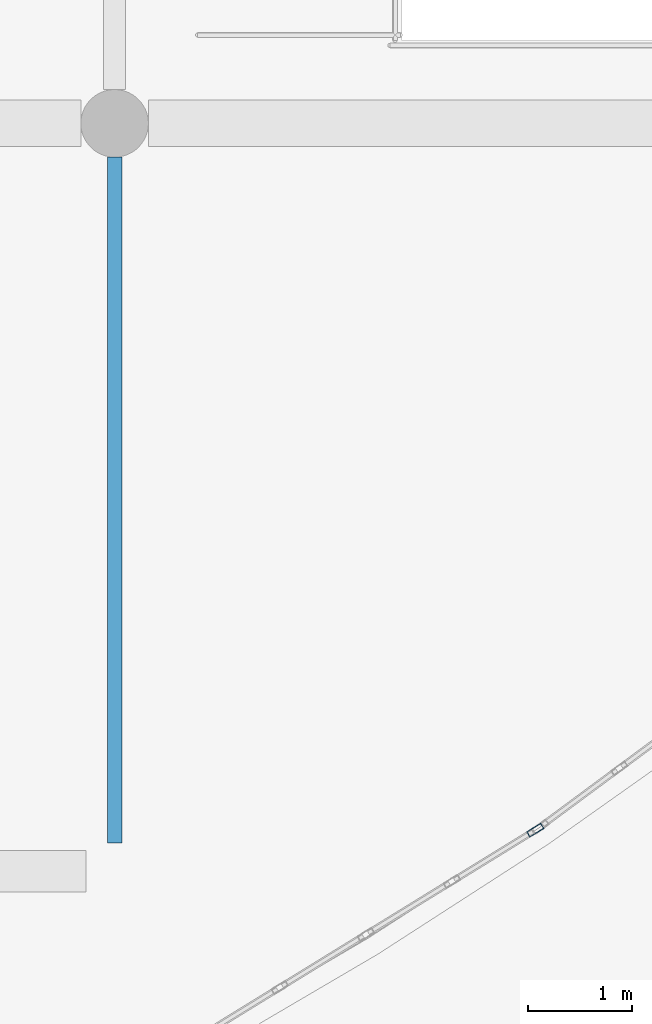
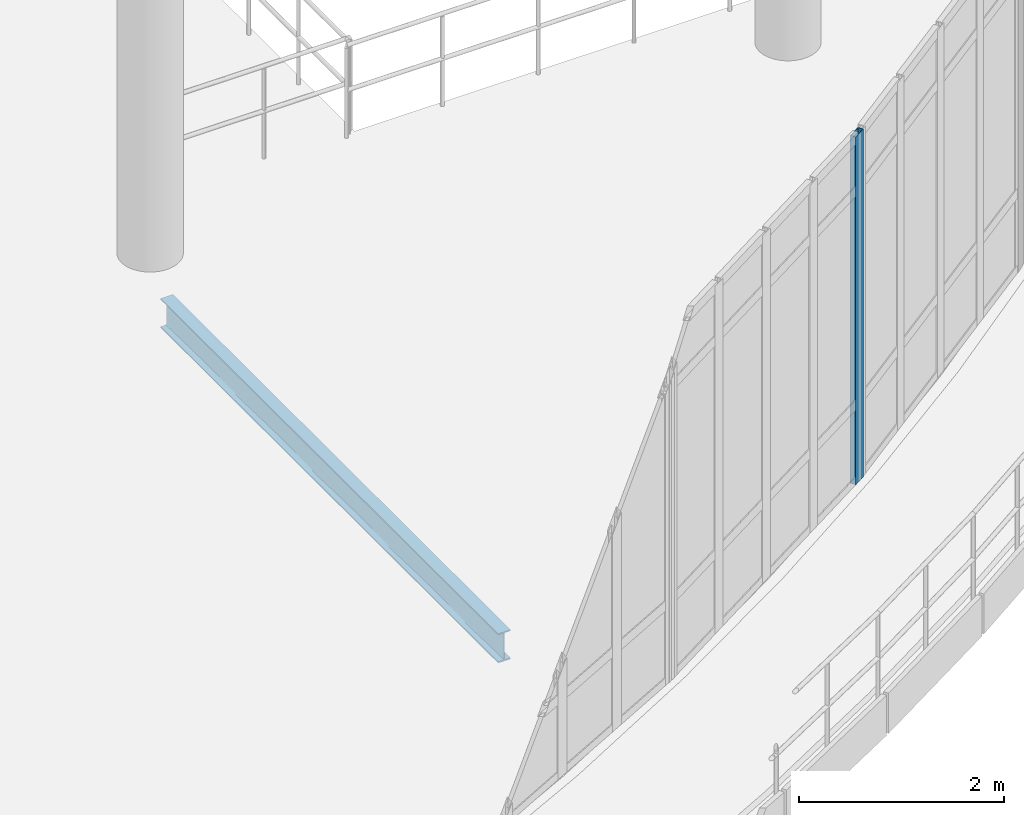
# One storey, part 38 of 116: 1 beam, 1 member, 1 element without a shape of its own.
"""IFC4 building model written with IfcOpenShell, lengths in metres."""

import ifcopenshell
import ifcopenshell.guid

model = None  # the IFC model being written
_history = None  # IfcOwnerHistory: only IFC2X3 demands one
_inside = {}  # id of a spatial element -> (the spatial element, [elements in it])
_under = {}  # id of a project, library or spatial element -> (it, [spatial elements below it])
_declared = {}  # id of a project -> (the project, [libraries it declares])
_typed = {}  # id of a type object -> (the type object, [elements of that type])
_made_of = {}  # id of a material, layer set ... -> (it, [elements and type objects made of it])


def new_model(schema):
    """Start an empty IFC model of exactly this schema.

    Asked for "IFC4X3", IfcOpenShell would pick the latest addendum, in which some entities
    have other attributes; the version numbers below select the first issue.
    IFC2X3 requires an IfcOwnerHistory on every rooted entity: one is made here for all.
    """
    global model, _history
    if schema == "IFC4X3":
        model = ifcopenshell.file(schema_version=(4, 3, 0, 0))
    else:
        model = ifcopenshell.file(schema=schema)
    _inside.clear()
    _under.clear()
    _declared.clear()
    _typed.clear()
    _made_of.clear()
    _history = None
    if model.schema == "IFC2X3":
        org = make("IfcOrganization", Name="unknown")
        user = make(
            "IfcPersonAndOrganization",
            ThePerson=make("IfcPerson", FamilyName="unknown"),
            TheOrganization=org,
        )
        app = make(
            "IfcApplication",
            ApplicationDeveloper=org,
            Version="unknown",
            ApplicationFullName="unknown",
            ApplicationIdentifier="unknown",
        )
        _history = make(
            "IfcOwnerHistory",
            OwningUser=user,
            OwningApplication=app,
            ChangeAction="ADDED",
            CreationDate=0,
        )
    return model


def make(cls, **values):
    """One entity of the class cls with the attributes given. An attribute that is None is left unset."""
    return model.create_entity(
        cls, **{name: value for name, value in values.items() if value is not None}
    )


def rooted(cls, **values):
    """An entity with a GlobalId (a new one), such as an element, a storey or a relation."""
    return make(cls, GlobalId=ifcopenshell.guid.new(), OwnerHistory=_history, **values)


def si_unit(unit_type, name, prefix=None):
    """IfcSIUnit, for example si_unit("LENGTHUNIT", "METRE", prefix="MILLI")."""
    return make("IfcSIUnit", UnitType=unit_type, Prefix=prefix, Name=name)


def assignment(units):
    """IfcUnitAssignment: the units of a project."""
    return None if units is None else make("IfcUnitAssignment", Units=units)


def point(xyz):
    """IfcCartesianPoint."""
    return None if xyz is None else make("IfcCartesianPoint", Coordinates=xyz)


def direction(xyz):
    """IfcDirection."""
    return None if xyz is None else make("IfcDirection", DirectionRatios=xyz)


def frame(location, z_axis=None, x_axis=None):
    """IfcAxis2Placement3D, a coordinate frame: its origin and axes. An axis left out is left unset."""
    return make(
        "IfcAxis2Placement3D",
        Location=point(location),
        Axis=direction(z_axis),
        RefDirection=direction(x_axis),
    )


def frame_2d(location, x_axis=None):
    """IfcAxis2Placement2D, a coordinate frame in the plane: its origin and x axis."""
    return make(
        "IfcAxis2Placement2D", Location=point(location), RefDirection=direction(x_axis)
    )


def origin():
    """The frame at (0, 0, 0) with its axes left unset."""
    return frame((0.0, 0.0, 0.0))


def origin_2d():
    """The frame at (0, 0) in the plane with its x axis left unset."""
    return frame_2d((0.0, 0.0))


def place(relative_to, where):
    """IfcLocalPlacement: puts the frame where relative to a parent placement (None: the world)."""
    return make(
        "IfcLocalPlacement", PlacementRelTo=relative_to, RelativePlacement=where
    )


def context(
    kind, dimensions, precision=None, world=None, true_north=None, identifier=None
):
    """IfcGeometricRepresentationContext, for example the 3D "Model" context."""
    return make(
        "IfcGeometricRepresentationContext",
        ContextIdentifier=identifier,
        ContextType=kind,
        CoordinateSpaceDimension=dimensions,
        Precision=precision,
        WorldCoordinateSystem=world,
        TrueNorth=true_north,
    )


def subcontext(parent, identifier, kind, view, scale=None):
    """IfcGeometricRepresentationSubContext, for example "Body" below "Model"."""
    return make(
        "IfcGeometricRepresentationSubContext",
        ContextIdentifier=identifier,
        ContextType=kind,
        ParentContext=parent,
        TargetScale=scale,
        TargetView=view,
    )


def project(units=None, contexts=None):
    """IfcProject with its units and contexts."""
    return rooted(
        "IfcProject",
        Name="project",
        RepresentationContexts=contexts,
        UnitsInContext=assignment(units),
    )


def spatial(cls, under=None, at=None, **own):
    """A site, building, storey or space (cls), placed at a placement, below another one or the project."""
    s = rooted(cls, ObjectPlacement=at, **own)
    if under is not None:
        _under.setdefault(under.id(), (under, []))[1].append(s)
    return s


def profile(cls, at=None, kind="AREA", **sizes):
    """A parametric profile (cls). Its sizes go by their IFC names, for example OverallWidth=200.0."""
    return make(cls, ProfileType=kind, Position=at, **sizes)


def hollow_rectangle(**sizes):
    """IfcRectangleHollowProfileDef."""
    return profile("IfcRectangleHollowProfileDef", **sizes)


def i_section(**sizes):
    """IfcIShapeProfileDef."""
    return profile("IfcIShapeProfileDef", **sizes)


def extrude(swept, where, along, depth):
    """IfcExtrudedAreaSolid: the profile swept, set in the frame where, extruded along a direction by depth."""
    return make(
        "IfcExtrudedAreaSolid",
        SweptArea=swept,
        Position=where,
        ExtrudedDirection=direction(along),
        Depth=depth,
    )


def shape(context_of_items, identifier, shape_type, items):
    """IfcShapeRepresentation: the items that make up one representation, for example the "Body"."""
    return make(
        "IfcShapeRepresentation",
        ContextOfItems=context_of_items,
        RepresentationIdentifier=identifier,
        RepresentationType=shape_type,
        Items=items,
    )


def material(Name=None, Category=None):
    """IfcMaterial."""
    return make("IfcMaterial", Name=Name, Category=Category)


def material_profile(
    of_material, cross_section, Name=None, Category=None, Priority=None
):
    """IfcMaterialProfile: a cross section and its material."""
    return make(
        "IfcMaterialProfile",
        Name=Name,
        Material=of_material,
        Profile=cross_section,
        Priority=Priority,
        Category=Category,
    )


def profile_set(profiles, Name=None, composite=None):
    """IfcMaterialProfileSet."""
    return make(
        "IfcMaterialProfileSet",
        Name=Name,
        MaterialProfiles=profiles,
        CompositeProfile=composite,
    )


def made_of(thing, what):
    """Note that an element or type object is made of a material, layer set ...; save() writes the relation."""
    if what is not None:
        _made_of.setdefault(what.id(), (what, []))[1].append(thing)
    return thing


def type_object(cls, material=None, **own):
    """A type object (cls), such as IfcWallType, which elements share."""
    return made_of(rooted(cls, **own), material)


def element(
    cls,
    number,
    at=None,
    inside=None,
    cuts=None,
    type_object=None,
    material=None,
    context=None,
    identifier="Body",
    shape_type=None,
    held_by="IfcProductDefinitionShape",
    body=None,
    shapes=None,
    **own,
):
    """One element of the class cls, such as IfcWall. Its Tag is "e" and its number.

    at: its placement. inside: the storey or other place that contains it. cuts: it is an
    opening in that element (IfcRelVoidsElement). A single representation is given by context,
    identifier, shape_type and body (its items); several are given by shapes. held_by: the class
    of the entity that holds the representations. save() writes the other relations.
    """
    e = rooted(cls, Tag="e%d" % number, ObjectPlacement=at, **own)
    if body is not None:
        shapes = [shape(context, identifier, shape_type, body)]
    if shapes is not None:
        e.Representation = make(held_by, Representations=shapes)
    if inside is not None:
        _inside.setdefault(inside.id(), (inside, []))[1].append(e)
    if cuts is not None:
        rooted(
            "IfcRelVoidsElement", RelatingBuildingElement=cuts, RelatedOpeningElement=e
        )
    if type_object is not None:
        _typed.setdefault(type_object.id(), (type_object, []))[1].append(e)
    return made_of(e, material)


def aggregate(whole, parts):
    """IfcRelAggregates: a whole, such as a stair, and the parts it consists of."""
    return rooted("IfcRelAggregates", RelatingObject=whole, RelatedObjects=parts)


def save(model, path):
    """Write the relations noted so far, then the file.

    IfcRelAggregates (storeys below a building ...), IfcRelContainedInSpatialStructure (elements
    in a storey), IfcRelDefinesByType, IfcRelAssociatesMaterial and IfcRelDeclares: one each for
    every whole, place, type object, material and project.
    """
    for whole, parts in _under.values():
        aggregate(whole, parts)
    for where, things in _inside.values():
        rooted(
            "IfcRelContainedInSpatialStructure",
            RelatedElements=things,
            RelatingStructure=where,
        )
    for kind, things in _typed.values():
        rooted("IfcRelDefinesByType", RelatedObjects=things, RelatingType=kind)
    for what, things in _made_of.values():
        rooted("IfcRelAssociatesMaterial", RelatedObjects=things, RelatingMaterial=what)
    for by, libraries in _declared.values():
        rooted("IfcRelDeclares", RelatingContext=by, RelatedDefinitions=libraries)
    model.write(path)


model = new_model("IFC4")

# Units and contexts
model_context = context("Model", 3, precision=1e-05, world=origin(), true_north=direction((0.0, 1.0)))
body_context = subcontext(model_context, "Body", "Model", "MODEL_VIEW")
ifc_project = project(units=[si_unit("LENGTHUNIT", "METRE"), si_unit("AREAUNIT", "SQUARE_METRE"), si_unit("VOLUMEUNIT", "CUBIC_METRE"), si_unit("PLANEANGLEUNIT", "RADIAN"), si_unit("MASSUNIT", "GRAM", prefix="KILO")], contexts=[model_context])

# Site, building, storey
site_placement = place(None, origin())
site = spatial("IfcSite", under=ifc_project, at=site_placement, CompositionType="ELEMENT")
building_placement = place(site_placement, origin())
building = spatial("IfcBuilding", under=site, at=building_placement, Name="Kalluvel Institute of Natural Sciences", CompositionType="ELEMENT")
storey_placement = place(building_placement, frame((0.0, 0.0, 14.39990234375)))
storey = spatial("IfcBuildingStorey", under=building, at=storey_placement, Name="L03", CompositionType="ELEMENT", Elevation=14.39990234375)

# Beam
ifc_material_1 = material(Name="Steel E350 Grade 350", Category="steel")
ifc_material_profile_1 = material_profile(ifc_material_1, i_section(OverallWidth=0.139892578125, OverallDepth=0.35009765625, WebThickness=0.008056640625, FlangeThickness=0.01416015625, FilletRadius=0.013916015625, at=origin_2d()), Name="ISMB 350")
ifc_profile_set_1 = profile_set([ifc_material_profile_1], Name="Steel E350 Grade 350")
beam_type = type_object("IfcBeamType", Name="BM-ISMB350", PredefinedType="BEAM", material=ifc_profile_set_1)
beam_placement = place(storey_placement, frame((57.199951171875, 64.675048828125, -0.494873046875), z_axis=(0.0, 1.0, 0.0), x_axis=(-1.0, 0.0, 0.0)))
element("IfcBeam", 1, at=beam_placement, inside=storey, type_object=beam_type, Name="L03 girder GIR-L03-NS-X572-Y644", PredefinedType="BEAM", context=body_context, shape_type="SweptSolid", body=[
    extrude(i_section(OverallWidth=0.139892578125, OverallDepth=0.35009765625, WebThickness=0.008056640625, FlangeThickness=0.01416015625, FilletRadius=0.013916015625, at=origin_2d()), origin(), (0.0, 0.0, 1.0), 6.599853515625),
])

# Curtain wall, member
ifc_material_2 = material(Name="Aluminium AW-6063 T6", Category="aluminium")
curtain_wall_type = type_object("IfcCurtainWallType", Name="CW-ATR-ARC", PredefinedType="USERDEFINED", material=ifc_material_2)
curtain_wall_placement = place(storey_placement, origin())
curtain_wall = element("IfcCurtainWall", 2, at=curtain_wall_placement, inside=storey, type_object=curtain_wall_type, Name="L03 Gothic lancet curtain wall CWA-L03-X580-Y628", ObjectType="UNITISED LANCET FACADE", PredefinedType="USERDEFINED")
ifc_material_profile_2 = material_profile(ifc_material_2, hollow_rectangle(XDim=0.06005859375, YDim=0.159912109375, WallThickness=0.00390625, at=origin_2d()), Name="CWM 60x160")
ifc_profile_set_2 = profile_set([ifc_material_profile_2], Name="Aluminium AW-6063 T6")
member_type = type_object("IfcMemberType", Name="CWM-60x160", PredefinedType="MULLION", material=ifc_profile_set_2)
member_placement = place(storey_placement, frame((61.249267578125, 64.797119140625, 0.0), z_axis=(0.0, 0.0, 1.0), x_axis=(-0.524305285442, 0.851530368019, 0.0)))
member = element("IfcMember", 3, at=member_placement, type_object=member_type, Name="CW-05 mullion 5", PredefinedType="MULLION", context=body_context, shape_type="SweptSolid", body=[
    extrude(hollow_rectangle(XDim=0.06005859375, YDim=0.159912109375, WallThickness=0.00390625, at=origin_2d()), origin(), (0.0, 0.0, 1.0), 4.150146484375),
])
aggregate(curtain_wall, [member])

save(model, "model.ifc")
